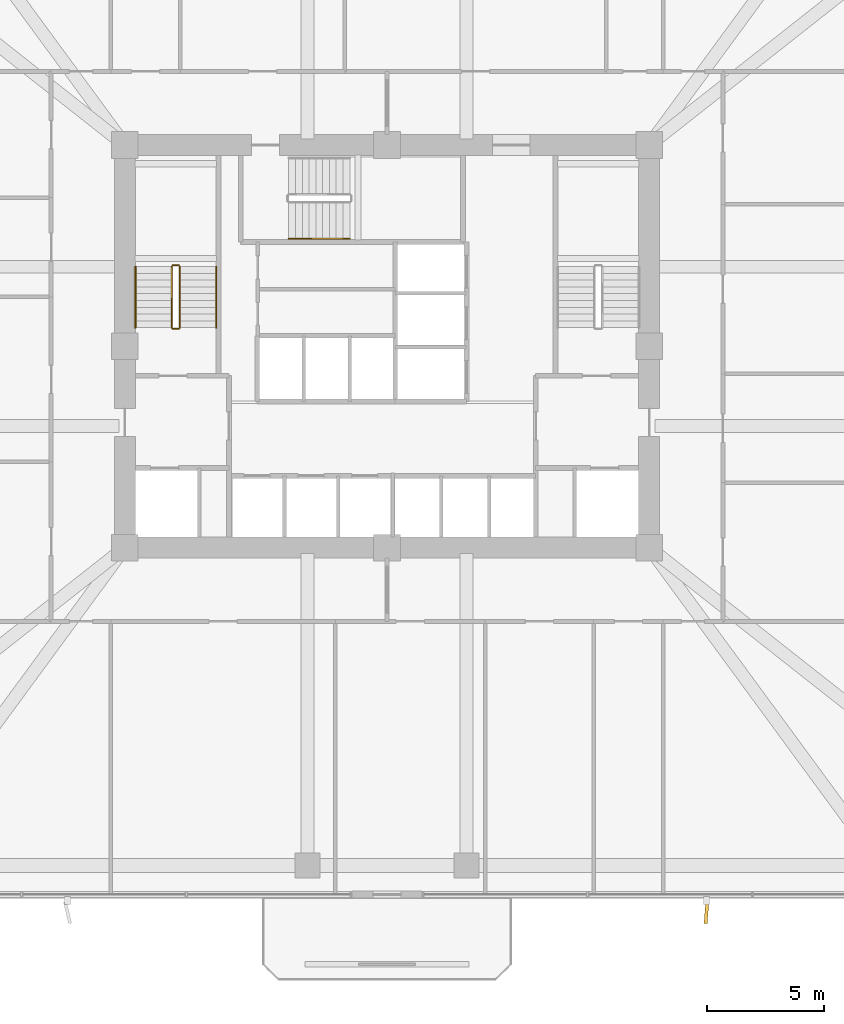
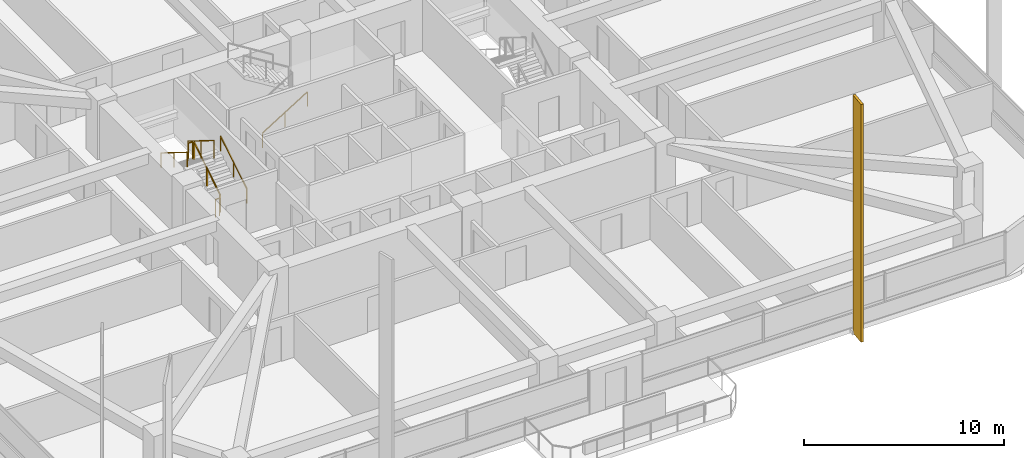
# One storey, part 14 of 17: 7 railings, 1 shading device.
"""IFC4 building model written with IfcOpenShell, lengths in metres."""

from ifc_helpers import new_model, si_unit, derived_unit, direction, frame, origin, origin_2d, place, context, subcontext, project, spatial, rectangle, extrude, material, type_object, element, save


model = new_model("IFC4")

# Units and contexts
model_context = context("Model", 3, precision=1e-05, world=origin(), true_north=direction((0.0, 1.0)))
body_context = subcontext(model_context, "Body", "Model", "MODEL_VIEW")
ifc_project = project(units=[si_unit("LENGTHUNIT", "METRE"), si_unit("AREAUNIT", "SQUARE_METRE"), si_unit("VOLUMEUNIT", "CUBIC_METRE"), si_unit("PLANEANGLEUNIT", "RADIAN"), si_unit("MASSUNIT", "GRAM", prefix="KILO"), derived_unit("THERMALTRANSMITTANCEUNIT", [(si_unit("POWERUNIT", "WATT"), 1), (si_unit("LENGTHUNIT", "METRE"), -2), (si_unit("THERMODYNAMICTEMPERATUREUNIT", "KELVIN"), -1)])], contexts=[model_context])

# Site, building, storey
site_placement = place(None, origin())
site = spatial("IfcSite", under=ifc_project, at=site_placement, CompositionType="ELEMENT")
building_placement = place(site_placement, origin())
building = spatial("IfcBuilding", under=site, at=building_placement, Name="Koralith Skygarden Medical Center", CompositionType="ELEMENT")
storey_placement = place(building_placement, frame((0.0, 0.0, 38.340087890625)))
storey = spatial("IfcBuildingStorey", under=building, at=storey_placement, Name="L09", CompositionType="ELEMENT", Elevation=38.340087890625)

# Shading device
ifc_material_1 = material(Name="Aluminium 6063-T6", Category="aluminium")
shading_device_type = type_object("IfcShadingDeviceType", Name="Limestone-Clad Solar Storm Fin 950", PredefinedType="USERDEFINED", material=ifc_material_1)
shading_device_placement = place(storey_placement, frame((50.64990234375, 1.705078125, -0.2001953125), z_axis=(0.0, 0.0, 1.0), x_axis=(-0.07849389466, -0.996914594387, 0.0)))
element("IfcShadingDevice", 1, at=shading_device_placement, inside=storey, type_object=shading_device_type, Name="L09 S Harmonic Solar Storm Fin 2", ObjectType="SOLAR FIN", PredefinedType="USERDEFINED", context=body_context, shape_type="SweptSolid", body=[
    extrude(rectangle(XDim=0.949951171875, YDim=0.139892578125, at=origin_2d()), origin(), (0.0, 0.0, 1.0), 14.550048828125),
])

# Railings
ifc_material_2 = material(Name="Steel ASTM A500 Grade C", Category="steel")
railing_type_1 = type_object("IfcRailingType", Name="Stair Flight Tubular Handrail 920", PredefinedType="HANDRAIL", material=ifc_material_2)
railing_1_placement = place(storey_placement, frame((29.699951171875, 26.699951171875, 0.179931640625)))
element("IfcRailing", 2, at=railing_1_placement, inside=storey, type_object=railing_type_1, Name="L09 ST1 stair handrail 1", PredefinedType="HANDRAIL", context=body_context, shape_type="SweptSolid", body=[
    extrude(rectangle(XDim=0.050048828125, YDim=0.050048828125, at=origin_2d()), frame((0.0, 0.001708984375, 0.89599609375), z_axis=(0.0, 0.849668407637, 0.527317358963), x_axis=(-1.0, 0.0, 0.0)), (0.0, 0.0, 1.0), 3.06787109375),
    extrude(rectangle(XDim=0.0419921875, YDim=0.0419921875, at=origin_2d()), origin(), (0.0, 0.0, 1.0), 0.867919921875),
    extrude(rectangle(XDim=0.0419921875, YDim=0.0419921875, at=origin_2d()), frame((0.0, 1.30517578125, 0.81005859375)), (0.0, 0.0, 1.0), 0.867919921875),
    extrude(rectangle(XDim=0.0419921875, YDim=0.0419921875, at=origin_2d()), frame((0.0, 2.610107421875, 1.619873046875)), (0.0, 0.0, 1.0), 0.867919921875),
])
railing_2_placement = place(storey_placement, frame((26.25, 29.31005859375, 1.97998046875)))
element("IfcRailing", 3, at=railing_2_placement, inside=storey, type_object=railing_type_1, Name="L09 ST1 stair handrail 2", PredefinedType="HANDRAIL", context=body_context, shape_type="SweptSolid", body=[
    extrude(rectangle(XDim=0.050048828125, YDim=0.050048828125, at=origin_2d()), frame((0.0, -0.001708984375, 0.89599609375), z_axis=(0.0, -0.849668407637, 0.527317358963), x_axis=(1.0, 0.0, 0.0)), (0.0, 0.0, 1.0), 3.06787109375),
    extrude(rectangle(XDim=0.0419921875, YDim=0.0419921875, at=origin_2d()), origin(), (0.0, 0.0, 1.0), 0.867919921875),
    extrude(rectangle(XDim=0.0419921875, YDim=0.0419921875, at=origin_2d()), frame((0.0, -1.30517578125, 0.81005859375)), (0.0, 0.0, 1.0), 0.867919921875),
    extrude(rectangle(XDim=0.0419921875, YDim=0.0419921875, at=origin_2d()), frame((0.0, -2.610107421875, 1.619873046875)), (0.0, 0.0, 1.0), 0.867919921875),
])
railing_3_placement = place(storey_placement, frame((32.800048828125, 30.5, 0.179931640625)))
element("IfcRailing", 4, at=railing_3_placement, inside=storey, type_object=railing_type_1, Name="L09 ST3 stair handrail 1", PredefinedType="HANDRAIL", context=body_context, shape_type="SweptSolid", body=[
    extrude(rectangle(XDim=0.050048828125, YDim=0.050048828125, at=origin_2d()), frame((0.001708984375, 0.0, 0.89599609375), z_axis=(0.849646306263, 0.0, 0.527352969322), x_axis=(0.0, 1.0, 0.0)), (0.0, 0.0, 1.0), 3.067626953125),
    extrude(rectangle(XDim=0.0419921875, YDim=0.0419921875, at=origin_2d()), origin(), (0.0, 0.0, 1.0), 0.867919921875),
    extrude(rectangle(XDim=0.0419921875, YDim=0.0419921875, at=origin_2d()), frame((1.304931640625, 0.0, 0.81005859375)), (0.0, 0.0, 1.0), 0.867919921875),
    extrude(rectangle(XDim=0.0419921875, YDim=0.0419921875, at=origin_2d()), frame((2.60986328125, 0.0, 1.619873046875)), (0.0, 0.0, 1.0), 0.867919921875),
])
railing_type_2 = type_object("IfcRailingType", Name="Stair Well Safety Guardrail 1100", PredefinedType="GUARDRAIL", material=ifc_material_2)
railing_4_placement = place(storey_placement, frame((28.14990234375, 26.699951171875, 0.179931640625)))
element("IfcRailing", 5, at=railing_4_placement, inside=storey, type_object=railing_type_2, Name="L09 ST1 stair guard 1", PredefinedType="GUARDRAIL", context=body_context, shape_type="SweptSolid", body=[
    extrude(rectangle(XDim=0.050048828125, YDim=0.050048828125, at=origin_2d()), frame((0.0, 0.001708984375, 1.076171875), z_axis=(0.0, 0.849668407637, 0.527317358963), x_axis=(-1.0, 0.0, 0.0)), (0.0, 0.0, 1.0), 3.06787109375),
    extrude(rectangle(XDim=0.0419921875, YDim=0.0419921875, at=origin_2d()), origin(), (0.0, 0.0, 1.0), 1.048095703125),
    extrude(rectangle(XDim=0.0419921875, YDim=0.0419921875, at=origin_2d()), frame((0.0, 1.30517578125, 0.81005859375)), (0.0, 0.0, 1.0), 1.048095703125),
    extrude(rectangle(XDim=0.0419921875, YDim=0.0419921875, at=origin_2d()), frame((0.0, 2.610107421875, 1.619873046875)), (0.0, 0.0, 1.0), 1.048095703125),
])
railing_5_placement = place(storey_placement, frame((28.10009765625, 29.360107421875, 1.7998046875)))
element("IfcRailing", 6, at=railing_5_placement, inside=storey, type_object=railing_type_2, Name="L09 ST1 stair guard 2", PredefinedType="GUARDRAIL", context=body_context, shape_type="SweptSolid", body=[
    extrude(rectangle(XDim=0.050048828125, YDim=0.050048828125, at=origin_2d()), frame((-0.001953125, 0.0, 1.0751953125), z_axis=(-1.0, 0.0, 0.0), x_axis=(0.0, -1.0, 0.0)), (0.0, 0.0, 1.0), 0.24609375),
    extrude(rectangle(XDim=0.0419921875, YDim=0.0419921875, at=origin_2d()), origin(), (0.0, 0.0, 1.0), 1.048095703125),
    extrude(rectangle(XDim=0.0419921875, YDim=0.0419921875, at=origin_2d()), frame((-0.25, 0.0, 0.0)), (0.0, 0.0, 1.0), 1.048095703125),
])
railing_6_placement = place(storey_placement, frame((27.800048828125, 29.31005859375, 1.97998046875)))
element("IfcRailing", 7, at=railing_6_placement, inside=storey, type_object=railing_type_2, Name="L09 ST1 stair guard 3", PredefinedType="GUARDRAIL", context=body_context, shape_type="SweptSolid", body=[
    extrude(rectangle(XDim=0.050048828125, YDim=0.050048828125, at=origin_2d()), frame((0.0, -0.001708984375, 1.076171875), z_axis=(0.0, -0.849668407637, 0.527317358963), x_axis=(1.0, 0.0, 0.0)), (0.0, 0.0, 1.0), 3.06787109375),
    extrude(rectangle(XDim=0.0419921875, YDim=0.0419921875, at=origin_2d()), origin(), (0.0, 0.0, 1.0), 1.048095703125),
    extrude(rectangle(XDim=0.0419921875, YDim=0.0419921875, at=origin_2d()), frame((0.0, -1.30517578125, 0.81005859375)), (0.0, 0.0, 1.0), 1.048095703125),
    extrude(rectangle(XDim=0.0419921875, YDim=0.0419921875, at=origin_2d()), frame((0.0, -2.610107421875, 1.619873046875)), (0.0, 0.0, 1.0), 1.048095703125),
])
railing_7_placement = place(storey_placement, frame((28.10009765625, 26.64990234375, 0.0)))
element("IfcRailing", 8, at=railing_7_placement, inside=storey, type_object=railing_type_2, Name="L09 ST1 stair guard 4", PredefinedType="GUARDRAIL", context=body_context, shape_type="SweptSolid", body=[
    extrude(rectangle(XDim=0.050048828125, YDim=0.050048828125, at=origin_2d()), frame((-0.001953125, 0.0, 1.0751953125), z_axis=(-1.0, 0.0, 0.0), x_axis=(0.0, -1.0, 0.0)), (0.0, 0.0, 1.0), 0.24609375),
    extrude(rectangle(XDim=0.0419921875, YDim=0.0419921875, at=origin_2d()), origin(), (0.0, 0.0, 1.0), 1.048095703125),
    extrude(rectangle(XDim=0.0419921875, YDim=0.0419921875, at=origin_2d()), frame((-0.25, 0.0, 0.0)), (0.0, 0.0, 1.0), 1.048095703125),
])

save(model, "model.ifc")
